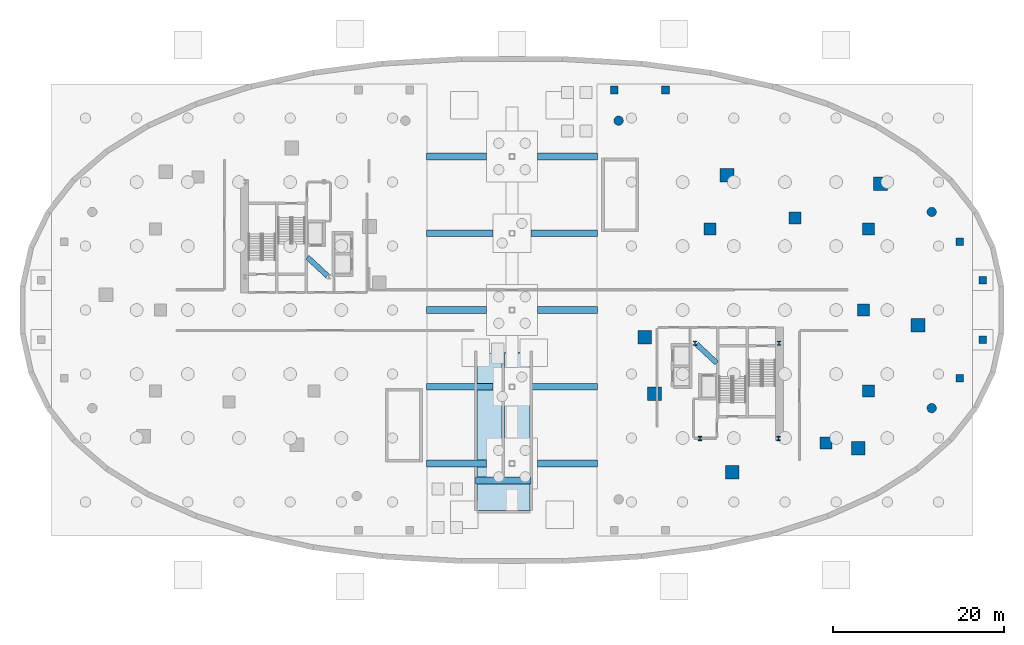
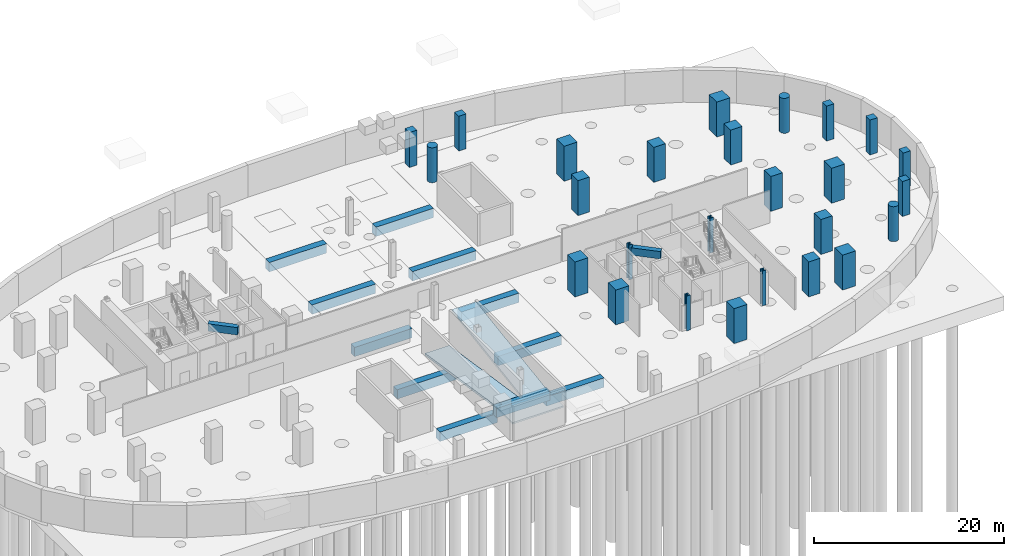
# One storey, part 3 of 10: 26 columns, 13 beams, 3 slabs.
"""IFC4 building model written with IfcOpenShell, lengths in metres."""

import ifcopenshell
import ifcopenshell.guid

model = None  # the IFC model being written
_history = None  # IfcOwnerHistory: only IFC2X3 demands one
_inside = {}  # id of a spatial element -> (the spatial element, [elements in it])
_under = {}  # id of a project, library or spatial element -> (it, [spatial elements below it])
_declared = {}  # id of a project -> (the project, [libraries it declares])
_typed = {}  # id of a type object -> (the type object, [elements of that type])
_made_of = {}  # id of a material, layer set ... -> (it, [elements and type objects made of it])


def new_model(schema):
    """Start an empty IFC model of exactly this schema.

    Asked for "IFC4X3", IfcOpenShell would pick the latest addendum, in which some entities
    have other attributes; the version numbers below select the first issue.
    IFC2X3 requires an IfcOwnerHistory on every rooted entity: one is made here for all.
    """
    global model, _history
    if schema == "IFC4X3":
        model = ifcopenshell.file(schema_version=(4, 3, 0, 0))
    else:
        model = ifcopenshell.file(schema=schema)
    _inside.clear()
    _under.clear()
    _declared.clear()
    _typed.clear()
    _made_of.clear()
    _history = None
    if model.schema == "IFC2X3":
        org = make("IfcOrganization", Name="unknown")
        user = make(
            "IfcPersonAndOrganization",
            ThePerson=make("IfcPerson", FamilyName="unknown"),
            TheOrganization=org,
        )
        app = make(
            "IfcApplication",
            ApplicationDeveloper=org,
            Version="unknown",
            ApplicationFullName="unknown",
            ApplicationIdentifier="unknown",
        )
        _history = make(
            "IfcOwnerHistory",
            OwningUser=user,
            OwningApplication=app,
            ChangeAction="ADDED",
            CreationDate=0,
        )
    return model


def make(cls, **values):
    """One entity of the class cls with the attributes given. An attribute that is None is left unset."""
    return model.create_entity(
        cls, **{name: value for name, value in values.items() if value is not None}
    )


def rooted(cls, **values):
    """An entity with a GlobalId (a new one), such as an element, a storey or a relation."""
    return make(cls, GlobalId=ifcopenshell.guid.new(), OwnerHistory=_history, **values)


def si_unit(unit_type, name, prefix=None):
    """IfcSIUnit, for example si_unit("LENGTHUNIT", "METRE", prefix="MILLI")."""
    return make("IfcSIUnit", UnitType=unit_type, Prefix=prefix, Name=name)


def assignment(units):
    """IfcUnitAssignment: the units of a project."""
    return None if units is None else make("IfcUnitAssignment", Units=units)


def point(xyz):
    """IfcCartesianPoint."""
    return None if xyz is None else make("IfcCartesianPoint", Coordinates=xyz)


def direction(xyz):
    """IfcDirection."""
    return None if xyz is None else make("IfcDirection", DirectionRatios=xyz)


def frame(location, z_axis=None, x_axis=None):
    """IfcAxis2Placement3D, a coordinate frame: its origin and axes. An axis left out is left unset."""
    return make(
        "IfcAxis2Placement3D",
        Location=point(location),
        Axis=direction(z_axis),
        RefDirection=direction(x_axis),
    )


def frame_2d(location, x_axis=None):
    """IfcAxis2Placement2D, a coordinate frame in the plane: its origin and x axis."""
    return make(
        "IfcAxis2Placement2D", Location=point(location), RefDirection=direction(x_axis)
    )


def origin():
    """The frame at (0, 0, 0) with its axes left unset."""
    return frame((0.0, 0.0, 0.0))


def origin_2d():
    """The frame at (0, 0) in the plane with its x axis left unset."""
    return frame_2d((0.0, 0.0))


def place(relative_to, where):
    """IfcLocalPlacement: puts the frame where relative to a parent placement (None: the world)."""
    return make(
        "IfcLocalPlacement", PlacementRelTo=relative_to, RelativePlacement=where
    )


def context(
    kind, dimensions, precision=None, world=None, true_north=None, identifier=None
):
    """IfcGeometricRepresentationContext, for example the 3D "Model" context."""
    return make(
        "IfcGeometricRepresentationContext",
        ContextIdentifier=identifier,
        ContextType=kind,
        CoordinateSpaceDimension=dimensions,
        Precision=precision,
        WorldCoordinateSystem=world,
        TrueNorth=true_north,
    )


def subcontext(parent, identifier, kind, view, scale=None):
    """IfcGeometricRepresentationSubContext, for example "Body" below "Model"."""
    return make(
        "IfcGeometricRepresentationSubContext",
        ContextIdentifier=identifier,
        ContextType=kind,
        ParentContext=parent,
        TargetScale=scale,
        TargetView=view,
    )


def project(units=None, contexts=None):
    """IfcProject with its units and contexts."""
    return rooted(
        "IfcProject",
        Name="project",
        RepresentationContexts=contexts,
        UnitsInContext=assignment(units),
    )


def spatial(cls, under=None, at=None, **own):
    """A site, building, storey or space (cls), placed at a placement, below another one or the project."""
    s = rooted(cls, ObjectPlacement=at, **own)
    if under is not None:
        _under.setdefault(under.id(), (under, []))[1].append(s)
    return s


def polyline(points):
    """IfcPolyline through the points."""
    return make("IfcPolyline", Points=[point(p) for p in points])


def profile(cls, at=None, kind="AREA", **sizes):
    """A parametric profile (cls). Its sizes go by their IFC names, for example OverallWidth=200.0."""
    return make(cls, ProfileType=kind, Position=at, **sizes)


def rectangle(**sizes):
    """IfcRectangleProfileDef."""
    return profile("IfcRectangleProfileDef", **sizes)


def circle(**sizes):
    """IfcCircleProfileDef."""
    return profile("IfcCircleProfileDef", **sizes)


def i_section(**sizes):
    """IfcIShapeProfileDef."""
    return profile("IfcIShapeProfileDef", **sizes)


def outline(outer, holes=None, kind="AREA"):
    """IfcArbitraryClosedProfileDef: a profile drawn as a closed curve; with holes, ...WithVoids."""
    if holes is None:
        return make("IfcArbitraryClosedProfileDef", ProfileType=kind, OuterCurve=outer)
    return make(
        "IfcArbitraryProfileDefWithVoids",
        ProfileType=kind,
        OuterCurve=outer,
        InnerCurves=holes,
    )


def extrude(swept, where, along, depth):
    """IfcExtrudedAreaSolid: the profile swept, set in the frame where, extruded along a direction by depth."""
    return make(
        "IfcExtrudedAreaSolid",
        SweptArea=swept,
        Position=where,
        ExtrudedDirection=direction(along),
        Depth=depth,
    )


def shape(context_of_items, identifier, shape_type, items):
    """IfcShapeRepresentation: the items that make up one representation, for example the "Body"."""
    return make(
        "IfcShapeRepresentation",
        ContextOfItems=context_of_items,
        RepresentationIdentifier=identifier,
        RepresentationType=shape_type,
        Items=items,
    )


def material(Name=None, Category=None):
    """IfcMaterial."""
    return make("IfcMaterial", Name=Name, Category=Category)


def layer(
    of_material, thickness, ventilated=None, Name=None, Category=None, Priority=None
):
    """IfcMaterialLayer: one layer of a wall or slab, of a material (None: an air gap)."""
    return make(
        "IfcMaterialLayer",
        Material=of_material,
        LayerThickness=thickness,
        IsVentilated=ventilated,
        Name=Name,
        Category=Category,
        Priority=Priority,
    )


def layer_set(layers, Name=None):
    """IfcMaterialLayerSet."""
    return make("IfcMaterialLayerSet", MaterialLayers=layers, LayerSetName=Name)


def material_profile(
    of_material, cross_section, Name=None, Category=None, Priority=None
):
    """IfcMaterialProfile: a cross section and its material."""
    return make(
        "IfcMaterialProfile",
        Name=Name,
        Material=of_material,
        Profile=cross_section,
        Priority=Priority,
        Category=Category,
    )


def profile_set(profiles, Name=None, composite=None):
    """IfcMaterialProfileSet."""
    return make(
        "IfcMaterialProfileSet",
        Name=Name,
        MaterialProfiles=profiles,
        CompositeProfile=composite,
    )


def made_of(thing, what):
    """Note that an element or type object is made of a material, layer set ...; save() writes the relation."""
    if what is not None:
        _made_of.setdefault(what.id(), (what, []))[1].append(thing)
    return thing


def type_object(cls, material=None, **own):
    """A type object (cls), such as IfcWallType, which elements share."""
    return made_of(rooted(cls, **own), material)


def element(
    cls,
    number,
    at=None,
    inside=None,
    cuts=None,
    type_object=None,
    material=None,
    context=None,
    identifier="Body",
    shape_type=None,
    held_by="IfcProductDefinitionShape",
    body=None,
    shapes=None,
    **own,
):
    """One element of the class cls, such as IfcWall. Its Tag is "e" and its number.

    at: its placement. inside: the storey or other place that contains it. cuts: it is an
    opening in that element (IfcRelVoidsElement). A single representation is given by context,
    identifier, shape_type and body (its items); several are given by shapes. held_by: the class
    of the entity that holds the representations. save() writes the other relations.
    """
    e = rooted(cls, Tag="e%d" % number, ObjectPlacement=at, **own)
    if body is not None:
        shapes = [shape(context, identifier, shape_type, body)]
    if shapes is not None:
        e.Representation = make(held_by, Representations=shapes)
    if inside is not None:
        _inside.setdefault(inside.id(), (inside, []))[1].append(e)
    if cuts is not None:
        rooted(
            "IfcRelVoidsElement", RelatingBuildingElement=cuts, RelatedOpeningElement=e
        )
    if type_object is not None:
        _typed.setdefault(type_object.id(), (type_object, []))[1].append(e)
    return made_of(e, material)


def aggregate(whole, parts):
    """IfcRelAggregates: a whole, such as a stair, and the parts it consists of."""
    return rooted("IfcRelAggregates", RelatingObject=whole, RelatedObjects=parts)


def save(model, path):
    """Write the relations noted so far, then the file.

    IfcRelAggregates (storeys below a building ...), IfcRelContainedInSpatialStructure (elements
    in a storey), IfcRelDefinesByType, IfcRelAssociatesMaterial and IfcRelDeclares: one each for
    every whole, place, type object, material and project.
    """
    for whole, parts in _under.values():
        aggregate(whole, parts)
    for where, things in _inside.values():
        rooted(
            "IfcRelContainedInSpatialStructure",
            RelatedElements=things,
            RelatingStructure=where,
        )
    for kind, things in _typed.values():
        rooted("IfcRelDefinesByType", RelatedObjects=things, RelatingType=kind)
    for what, things in _made_of.values():
        rooted("IfcRelAssociatesMaterial", RelatedObjects=things, RelatingMaterial=what)
    for by, libraries in _declared.values():
        rooted("IfcRelDeclares", RelatingContext=by, RelatedDefinitions=libraries)
    model.write(path)


model = new_model("IFC4")

# Units and contexts
model_context = context("Model", 3, precision=1e-05, world=origin(), true_north=direction((0.0, 1.0)))
body_context = subcontext(model_context, "Body", "Model", "MODEL_VIEW")
ifc_project = project(units=[si_unit("LENGTHUNIT", "METRE"), si_unit("AREAUNIT", "SQUARE_METRE"), si_unit("VOLUMEUNIT", "CUBIC_METRE"), si_unit("PLANEANGLEUNIT", "RADIAN"), si_unit("MASSUNIT", "GRAM", prefix="KILO"), si_unit("THERMODYNAMICTEMPERATUREUNIT", "KELVIN"), si_unit("POWERUNIT", "WATT")], contexts=[model_context])

# Site, building, storey
site_placement = place(None, origin())
site = spatial("IfcSite", under=ifc_project, at=site_placement, CompositionType="ELEMENT")
building_placement = place(site_placement, origin())
building = spatial("IfcBuilding", under=site, at=building_placement, Name="Cundina Bronze Exchange", CompositionType="ELEMENT")
storey_placement = place(building_placement, frame((0.0, 0.0, -9.0)))
storey = spatial("IfcBuildingStorey", under=building, at=storey_placement, Name="B02", CompositionType="ELEMENT", Elevation=-9.0)

# Columns
ifc_material_1 = material(Name="Concrete C60/75", Category="concrete")
ifc_material_profile_1 = material_profile(ifc_material_1, rectangle(XDim=1.39990234375, YDim=1.39990234375, at=origin_2d()), Name="RC1400X1400", Category="concrete")
ifc_profile_set_1 = profile_set([ifc_material_profile_1], Name="Concrete C60/75")
column_type_1 = type_object("IfcColumnType", Name="COL-MEGA-1400", PredefinedType="COLUMN", material=ifc_profile_set_1)
for number, where, z_axis, x_axis, name in (
    (1, (41.199951171875, 0.0, 0.0), (0.0, 0.0, 1.0), (1.0, 0.0, 0.0), "B02 E Inner Ring Column 1"),
    (2, (41.800048828125, -9.5, 0.0), (0.0, 0.0, 1.0), (1.0, 0.0, 0.0), "B02 E Inner Ring Column 2"),
    (3, (36.800048828125, -15.60009765625, 0.0), (0.0, 0.0, 1.0), (1.0, 0.0, 0.0), "B02 E Inner Ring Column 3"),
    (4, (41.800048828125, 9.5, 0.0), (0.0, 0.0, 1.0), (1.0, 0.0, 0.0), "B02 E Inner Ring Column 4"),
    (5, (33.199951171875, 10.800048828125, 0.0), (0.0, 0.0, 1.0), (1.0, 0.0, 0.0), "B02 E Inner Ring Column 5"),
    (6, (23.199951171875, 9.5, 0.0), (0.0, 0.0, 1.0), (1.0, 0.0, 0.0), "B02 E Inner Ring Column 6"),
):
    element("IfcColumn", number, at=place(storey_placement, frame(where, z_axis=z_axis, x_axis=x_axis)), inside=storey, type_object=column_type_1, Name=name, PredefinedType="COLUMN", context=body_context, shape_type="SweptSolid", body=[
        extrude(rectangle(XDim=1.39990234375, YDim=1.39990234375, at=origin_2d()), origin(), (0.0, 0.0, 1.0), 4.5),
    ])
ifc_material_profile_2 = material_profile(ifc_material_1, rectangle(XDim=1.60009765625, YDim=1.60009765625, at=origin_2d()), Name="RC1600X1600", Category="concrete")
ifc_profile_set_2 = profile_set([ifc_material_profile_2], Name="Concrete C60/75")
column_type_2 = type_object("IfcColumnType", Name="COL-MEGA-1600", PredefinedType="COLUMN", material=ifc_profile_set_2)
for number, where, z_axis, x_axis, name in (
    (7, (15.550048828125, -3.199951171875, 0.0), (0.0, 0.0, 1.0), (1.0, 0.0, 0.0), "B02 E Podium Mega-Column 00"),
    (8, (16.699951171875, -9.800048828125, 0.0), (0.0, 0.0, 1.0), (1.0, 0.0, 0.0), "B02 E Podium Mega-Column 02"),
    (9, (25.800048828125, -19.0, 0.0), (0.0, 0.0, 1.0), (1.0, 0.0, 0.0), "B02 E Podium Mega-Column 04"),
    (10, (40.60009765625, -16.199951171875, 0.0), (0.0, 0.0, 1.0), (1.0, 0.0, 0.0), "B02 E Podium Mega-Column 06"),
    (11, (47.60009765625, -1.800048828125, 0.0), (0.0, 0.0, 1.0), (1.0, 0.0, 0.0), "B02 E Podium Mega-Column 08"),
    (12, (43.199951171875, 14.800048828125, 0.0), (0.0, 0.0, 1.0), (1.0, 0.0, 0.0), "B02 E Podium Mega-Column 10"),
    (13, (25.199951171875, 15.800048828125, 0.0), (0.0, 0.0, 1.0), (1.0, 0.0, 0.0), "B02 E Podium Mega-Column 12"),
):
    element("IfcColumn", number, at=place(storey_placement, frame(where, z_axis=z_axis, x_axis=x_axis)), inside=storey, type_object=column_type_2, Name=name, PredefinedType="COLUMN", context=body_context, shape_type="SweptSolid", body=[
        extrude(rectangle(XDim=1.60009765625, YDim=1.60009765625, at=origin_2d()), origin(), (0.0, 0.0, 1.0), 4.5),
    ])
ifc_material_profile_3 = material_profile(ifc_material_1, circle(Radius=0.550048828125, at=origin_2d()), Name="RC1100D", Category="concrete")
ifc_profile_set_3 = profile_set([ifc_material_profile_3], Name="Concrete C60/75")
column_type_3 = type_object("IfcColumnType", Name="COL-PIL-1100D", PredefinedType="PILASTER", material=ifc_profile_set_3)
for number, where, z_axis, x_axis, name in (
    (14, (12.5, 22.199951171875, 0.0), (0.0, 0.0, 1.0), (1.0, 0.0, 0.0), "B02 Podium Colonnade Pilaster 04"),
    (15, (49.199951171875, 11.5, 0.0), (0.0, 0.0, 1.0), (1.0, 0.0, 0.0), "B02 Podium Colonnade Pilaster 07"),
    (16, (49.199951171875, -11.5, 0.0), (0.0, 0.0, 1.0), (1.0, 0.0, 0.0), "B02 Podium Colonnade Pilaster 08"),
):
    element("IfcColumn", number, at=place(storey_placement, frame(where, z_axis=z_axis, x_axis=x_axis)), inside=storey, type_object=column_type_3, Name=name, PredefinedType="PILASTER", context=body_context, shape_type="SweptSolid", body=[
        extrude(circle(Radius=0.550048828125, at=origin_2d()), origin(), (0.0, 0.0, 1.0), 4.5),
    ])
ifc_material_2 = material(Name="Steel ASTM A992 Grade 50", Category="steel")
ifc_material_profile_4 = material_profile(ifc_material_2, i_section(OverallWidth=0.431884765625, OverallDepth=0.498046875, WebThickness=0.0556640625, FlangeThickness=0.0888671875, FilletRadius=0.01806640625, at=origin_2d()), Name="W14X500", Category="steel")
ifc_profile_set_4 = profile_set([ifc_material_profile_4], Name="Steel ASTM A992 Grade 50")
column_type_4 = type_object("IfcColumnType", Name="COL-STL-W14A", PredefinedType="COLUMN", material=ifc_profile_set_4)
for number, where, z_axis, x_axis, name in (
    (17, (31.300048828125, -3.89990234375, 0.0), (0.0, 0.0, 1.0), (1.0, 0.0, 0.0), "B02 Core Anchor Column E1"),
    (18, (21.449951171875, -3.89990234375, 0.0), (0.0, 0.0, 1.0), (1.0, 0.0, 0.0), "B02 Core Anchor Column E2"),
    (19, (22.050048828125, -15.050048828125, 0.0), (0.0, 0.0, 1.0), (1.0, 0.0, 0.0), "B02 Core Anchor Column E3"),
    (20, (31.25, -15.050048828125, 0.0), (0.0, 0.0, 1.0), (1.0, 0.0, 0.0), "B02 Core Anchor Column E4"),
):
    element("IfcColumn", number, at=place(storey_placement, frame(where, z_axis=z_axis, x_axis=x_axis)), inside=storey, type_object=column_type_4, Name=name, PredefinedType="COLUMN", context=body_context, shape_type="SweptSolid", body=[
        extrude(i_section(OverallWidth=0.431884765625, OverallDepth=0.498046875, WebThickness=0.0556640625, FlangeThickness=0.0888671875, FilletRadius=0.01806640625, at=origin_2d()), origin(), (0.0, 0.0, 1.0), 4.5),
    ])
ifc_material_3 = material(Name="Concrete C50/60", Category="concrete")
ifc_material_profile_5 = material_profile(ifc_material_3, rectangle(XDim=0.89990234375, YDim=0.89990234375, at=origin_2d()), Name="RC900X900", Category="concrete")
ifc_profile_set_5 = profile_set([ifc_material_profile_5], Name="Concrete C50/60")
column_type_5 = type_object("IfcColumnType", Name="COL-Z4-900", PredefinedType="COLUMN", material=ifc_profile_set_5)
for number, where, z_axis, x_axis, name in (
    (21, (52.5, -8.0, 0.0), (0.0, 0.0, 1.0), (1.0, 0.0, 0.0), "B02 Podium Crescent Wing Column E1"),
    (22, (52.5, 8.0, 0.0), (0.0, 0.0, 1.0), (1.0, 0.0, 0.0), "B02 Podium Crescent Wing Column E2"),
    (23, (55.199951171875, -3.5, 0.0), (0.0, 0.0, 1.0), (1.0, 0.0, 0.0), "B02 Podium Crescent Wing Column E3"),
    (24, (55.199951171875, 3.5, 0.0), (0.0, 0.0, 1.0), (1.0, 0.0, 0.0), "B02 Podium Crescent Wing Column E4"),
    (25, (12.0, 25.800048828125, 0.0), (0.0, 0.0, 1.0), (1.0, 0.0, 0.0), "B02 North Canopy Support Pier 07"),
    (26, (18.0, 25.800048828125, 0.0), (0.0, 0.0, 1.0), (1.0, 0.0, 0.0), "B02 North Canopy Support Pier 08"),
):
    element("IfcColumn", number, at=place(storey_placement, frame(where, z_axis=z_axis, x_axis=x_axis)), inside=storey, type_object=column_type_5, Name=name, PredefinedType="COLUMN", context=body_context, shape_type="SweptSolid", body=[
        extrude(rectangle(XDim=0.89990234375, YDim=0.89990234375, at=origin_2d()), origin(), (0.0, 0.0, 1.0), 4.5),
    ])

# Beams
ifc_material_profile_6 = material_profile(ifc_material_1, rectangle(XDim=0.60009765625, YDim=0.949951171875, at=origin_2d()), Name="RC600X950", Category="concrete")
ifc_profile_set_6 = profile_set([ifc_material_profile_6], Name="Concrete C60/75")
beam_type_1 = type_object("IfcBeamType", Name="BM-COUP-RC950", PredefinedType="LINTEL", material=ifc_profile_set_6)
for number, where, z_axis, x_axis, name in (
    (27, (-23.989990234375, 6.199951171875, 3.675048828125), (0.731490439815, -0.681851696822, 0.0), (0.681851696822, 0.731490439815, 0.0), "B02 W Core Shear Coupling Lintel Beam"),
    (28, (21.6298828125, -4.0, 3.675048828125), (0.731490439815, -0.681851696822, 0.0), (0.681851696822, 0.731490439815, 0.0), "B02 E Core Shear Coupling Lintel Beam"),
):
    element("IfcBeam", number, at=place(storey_placement, frame(where, z_axis=z_axis, x_axis=x_axis)), inside=storey, type_object=beam_type_1, Name=name, PredefinedType="LINTEL", context=body_context, shape_type="SweptSolid", body=[
        extrude(rectangle(XDim=0.60009765625, YDim=0.949951171875, at=origin_2d()), origin(), (0.0, 0.0, 1.0), 3.226318359375),
    ])
ifc_material_4 = material(Name="Concrete C40/50", Category="concrete")
ifc_material_profile_7 = material_profile(ifc_material_4, rectangle(XDim=0.800048828125, YDim=1.199951171875, at=origin_2d()), Name="RC800X1200", Category="concrete")
ifc_profile_set_7 = profile_set([ifc_material_profile_7], Name="Concrete C40/50")
beam_type_2 = type_object("IfcBeamType", Name="BM-GRND-RC1200", PredefinedType="BEAM", material=ifc_profile_set_7)
for number, where, z_axis, x_axis, name in (
    (29, (-10.0, -18.0, -0.60009765625), (1.0, 0.0, 0.0), (0.0, 1.0, 0.0), "Foundation Tie Ground Beam GB-01"),
    (30, (3.0, -18.0, -0.60009765625), (1.0, 0.0, 0.0), (0.0, 1.0, 0.0), "Foundation Tie Ground Beam GB-02"),
):
    element("IfcBeam", number, at=place(storey_placement, frame(where, z_axis=z_axis, x_axis=x_axis)), inside=storey, type_object=beam_type_2, Name=name, PredefinedType="BEAM", context=body_context, shape_type="SweptSolid", body=[
        extrude(rectangle(XDim=0.800048828125, YDim=1.199951171875, at=origin_2d()), origin(), (0.0, 0.0, 1.0), 7.0),
    ])
for number, where, z_axis, x_axis, name in (
    (31, (-10.0, -9.0, -0.60009765625), (1.0, 0.0, 0.0), (0.0, 1.0, 0.0), "Foundation Tie Ground Beam GB-03"),
    (32, (2.25, -9.0, -0.60009765625), (1.0, 0.0, 0.0), (0.0, 1.0, 0.0), "Foundation Tie Ground Beam GB-04"),
):
    element("IfcBeam", number, at=place(storey_placement, frame(where, z_axis=z_axis, x_axis=x_axis)), inside=storey, type_object=beam_type_2, Name=name, PredefinedType="BEAM", context=body_context, shape_type="SweptSolid", body=[
        extrude(rectangle(XDim=0.800048828125, YDim=1.199951171875, at=origin_2d()), origin(), (0.0, 0.0, 1.0), 7.75),
    ])
for number, where, z_axis, x_axis, name in (
    (33, (-10.0, 0.0, -0.60009765625), (1.0, 0.0, 0.0), (0.0, 1.0, 0.0), "Foundation Tie Ground Beam GB-05"),
    (34, (3.0, 0.0, -0.60009765625), (1.0, 0.0, 0.0), (0.0, 1.0, 0.0), "Foundation Tie Ground Beam GB-06"),
):
    element("IfcBeam", number, at=place(storey_placement, frame(where, z_axis=z_axis, x_axis=x_axis)), inside=storey, type_object=beam_type_2, Name=name, PredefinedType="BEAM", context=body_context, shape_type="SweptSolid", body=[
        extrude(rectangle(XDim=0.800048828125, YDim=1.199951171875, at=origin_2d()), origin(), (0.0, 0.0, 1.0), 7.0),
    ])
for number, where, z_axis, x_axis, name in (
    (35, (-10.0, 9.0, -0.60009765625), (1.0, 0.0, 0.0), (0.0, 1.0, 0.0), "Foundation Tie Ground Beam GB-07"),
    (36, (2.25, 9.0, -0.60009765625), (1.0, 0.0, 0.0), (0.0, 1.0, 0.0), "Foundation Tie Ground Beam GB-08"),
):
    element("IfcBeam", number, at=place(storey_placement, frame(where, z_axis=z_axis, x_axis=x_axis)), inside=storey, type_object=beam_type_2, Name=name, PredefinedType="BEAM", context=body_context, shape_type="SweptSolid", body=[
        extrude(rectangle(XDim=0.800048828125, YDim=1.199951171875, at=origin_2d()), origin(), (0.0, 0.0, 1.0), 7.75),
    ])
for number, where, z_axis, x_axis, name in (
    (37, (-10.0, 18.0, -0.60009765625), (1.0, 0.0, 0.0), (0.0, 1.0, 0.0), "Foundation Tie Ground Beam GB-09"),
    (38, (3.0, 18.0, -0.60009765625), (1.0, 0.0, 0.0), (0.0, 1.0, 0.0), "Foundation Tie Ground Beam GB-10"),
):
    element("IfcBeam", number, at=place(storey_placement, frame(where, z_axis=z_axis, x_axis=x_axis)), inside=storey, type_object=beam_type_2, Name=name, PredefinedType="BEAM", context=body_context, shape_type="SweptSolid", body=[
        extrude(rectangle(XDim=0.800048828125, YDim=1.199951171875, at=origin_2d()), origin(), (0.0, 0.0, 1.0), 7.0),
    ])
beam_placement = place(storey_placement, frame((-4.25, -20.0, 1.64990234375), z_axis=(1.0, 0.0, 0.0), x_axis=(0.0, 1.0, 0.0)))
element("IfcBeam", 39, at=beam_placement, inside=storey, type_object=beam_type_2, Name="B02 Ramp Half-Landing Bearing Beam", PredefinedType="BEAM", context=body_context, shape_type="SweptSolid", body=[
    extrude(rectangle(XDim=0.800048828125, YDim=1.199951171875, at=origin_2d()), origin(), (0.0, 0.0, 1.0), 6.5),
])

# Slabs
ifc_layer_1 = layer(ifc_material_4, 0.199951171875, Name="Concrete C40/50", Category="concrete")
ifc_layer_set_1 = layer_set([ifc_layer_1], Name="Concrete C40/50")
slab_type_1 = type_object("IfcSlabType", Name="SLB-LND-200", PredefinedType="LANDING", material=ifc_layer_set_1)
slab_placement = place(storey_placement, frame((0.0, 0.0, 2.050048828125)))
element("IfcSlab", 40, at=slab_placement, inside=storey, type_object=slab_type_1, Name="Car Park Ramp B02 Half-Landing", PredefinedType="LANDING", context=body_context, shape_type="SweptSolid", body=[
    extrude(outline(polyline([(-4.10009765625, -23.5), (2.10009765625, -23.5), (2.10009765625, -20.0), (-4.10009765625, -20.0), (-4.10009765625, -23.5)])), origin(), (0.0, 0.0, 1.0), 0.199951171875),
])
ifc_layer_2 = layer(ifc_material_4, 0.280029296875, Name="Concrete C40/50", Category="concrete")
ifc_layer_set_2 = layer_set([ifc_layer_2], Name="Concrete C40/50")
slab_type_2 = type_object("IfcSlabType", Name="SLB-RMP-280", PredefinedType="FLOOR", material=ifc_layer_set_2)
for number, where, z_axis, x_axis, name in (
    (41, (-1.14990234375, -5.044921875, 0.0), (0.0, 0.149214460954, 0.988804856704), (-1.0, 0.0, 0.0), "Car Park Ramp B02 Lower Flight Structural Ramp Slab"),
    (42, (-0.85009765625, -19.955078125, 2.25), (0.0, -0.149214460954, 0.988804856704), (1.0, 0.0, 0.0), "Car Park Ramp B02 Upper Flight Structural Ramp Slab"),
):
    element("IfcSlab", number, at=place(storey_placement, frame(where, z_axis=z_axis, x_axis=x_axis)), inside=storey, type_object=slab_type_2, Name=name, PredefinedType="FLOOR", context=body_context, shape_type="SweptSolid", body=[
        extrude(outline(polyline([(0.0, 0.0), (2.9501953125, 0.0), (2.9501953125, 15.078967451367951), (0.0, 15.078967451367951), (0.0, 0.0)])), origin(), (0.0, 0.0, -1.0), 0.280029296875),
    ])

save(model, "model.ifc")
